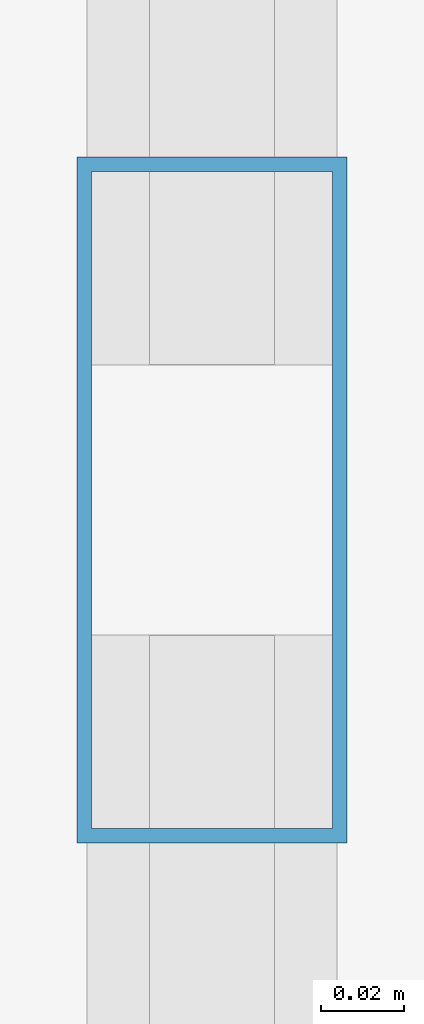
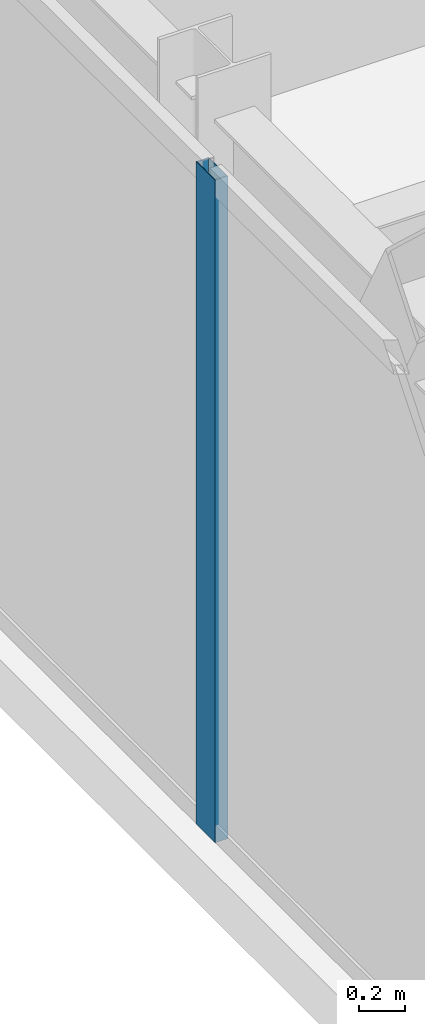
# One storey, part 10 of 31: 1 member, 1 element without a shape of its own.
"""IFC4 building model written with IfcOpenShell, lengths in metres."""

import ifcopenshell
import ifcopenshell.guid

model = None  # the IFC model being written
_history = None  # IfcOwnerHistory: only IFC2X3 demands one
_inside = {}  # id of a spatial element -> (the spatial element, [elements in it])
_under = {}  # id of a project, library or spatial element -> (it, [spatial elements below it])
_declared = {}  # id of a project -> (the project, [libraries it declares])
_typed = {}  # id of a type object -> (the type object, [elements of that type])
_made_of = {}  # id of a material, layer set ... -> (it, [elements and type objects made of it])


def new_model(schema):
    """Start an empty IFC model of exactly this schema.

    Asked for "IFC4X3", IfcOpenShell would pick the latest addendum, in which some entities
    have other attributes; the version numbers below select the first issue.
    IFC2X3 requires an IfcOwnerHistory on every rooted entity: one is made here for all.
    """
    global model, _history
    if schema == "IFC4X3":
        model = ifcopenshell.file(schema_version=(4, 3, 0, 0))
    else:
        model = ifcopenshell.file(schema=schema)
    _inside.clear()
    _under.clear()
    _declared.clear()
    _typed.clear()
    _made_of.clear()
    _history = None
    if model.schema == "IFC2X3":
        org = make("IfcOrganization", Name="unknown")
        user = make(
            "IfcPersonAndOrganization",
            ThePerson=make("IfcPerson", FamilyName="unknown"),
            TheOrganization=org,
        )
        app = make(
            "IfcApplication",
            ApplicationDeveloper=org,
            Version="unknown",
            ApplicationFullName="unknown",
            ApplicationIdentifier="unknown",
        )
        _history = make(
            "IfcOwnerHistory",
            OwningUser=user,
            OwningApplication=app,
            ChangeAction="ADDED",
            CreationDate=0,
        )
    return model


def make(cls, **values):
    """One entity of the class cls with the attributes given. An attribute that is None is left unset."""
    return model.create_entity(
        cls, **{name: value for name, value in values.items() if value is not None}
    )


def rooted(cls, **values):
    """An entity with a GlobalId (a new one), such as an element, a storey or a relation."""
    return make(cls, GlobalId=ifcopenshell.guid.new(), OwnerHistory=_history, **values)


def si_unit(unit_type, name, prefix=None):
    """IfcSIUnit, for example si_unit("LENGTHUNIT", "METRE", prefix="MILLI")."""
    return make("IfcSIUnit", UnitType=unit_type, Prefix=prefix, Name=name)


def assignment(units):
    """IfcUnitAssignment: the units of a project."""
    return None if units is None else make("IfcUnitAssignment", Units=units)


def point(xyz):
    """IfcCartesianPoint."""
    return None if xyz is None else make("IfcCartesianPoint", Coordinates=xyz)


def direction(xyz):
    """IfcDirection."""
    return None if xyz is None else make("IfcDirection", DirectionRatios=xyz)


def frame(location, z_axis=None, x_axis=None):
    """IfcAxis2Placement3D, a coordinate frame: its origin and axes. An axis left out is left unset."""
    return make(
        "IfcAxis2Placement3D",
        Location=point(location),
        Axis=direction(z_axis),
        RefDirection=direction(x_axis),
    )


def frame_2d(location, x_axis=None):
    """IfcAxis2Placement2D, a coordinate frame in the plane: its origin and x axis."""
    return make(
        "IfcAxis2Placement2D", Location=point(location), RefDirection=direction(x_axis)
    )


def origin():
    """The frame at (0, 0, 0) with its axes left unset."""
    return frame((0.0, 0.0, 0.0))


def origin_2d():
    """The frame at (0, 0) in the plane with its x axis left unset."""
    return frame_2d((0.0, 0.0))


def place(relative_to, where):
    """IfcLocalPlacement: puts the frame where relative to a parent placement (None: the world)."""
    return make(
        "IfcLocalPlacement", PlacementRelTo=relative_to, RelativePlacement=where
    )


def context(
    kind, dimensions, precision=None, world=None, true_north=None, identifier=None
):
    """IfcGeometricRepresentationContext, for example the 3D "Model" context."""
    return make(
        "IfcGeometricRepresentationContext",
        ContextIdentifier=identifier,
        ContextType=kind,
        CoordinateSpaceDimension=dimensions,
        Precision=precision,
        WorldCoordinateSystem=world,
        TrueNorth=true_north,
    )


def subcontext(parent, identifier, kind, view, scale=None):
    """IfcGeometricRepresentationSubContext, for example "Body" below "Model"."""
    return make(
        "IfcGeometricRepresentationSubContext",
        ContextIdentifier=identifier,
        ContextType=kind,
        ParentContext=parent,
        TargetScale=scale,
        TargetView=view,
    )


def project(units=None, contexts=None):
    """IfcProject with its units and contexts."""
    return rooted(
        "IfcProject",
        Name="project",
        RepresentationContexts=contexts,
        UnitsInContext=assignment(units),
    )


def spatial(cls, under=None, at=None, **own):
    """A site, building, storey or space (cls), placed at a placement, below another one or the project."""
    s = rooted(cls, ObjectPlacement=at, **own)
    if under is not None:
        _under.setdefault(under.id(), (under, []))[1].append(s)
    return s


def profile(cls, at=None, kind="AREA", **sizes):
    """A parametric profile (cls). Its sizes go by their IFC names, for example OverallWidth=200.0."""
    return make(cls, ProfileType=kind, Position=at, **sizes)


def hollow_rectangle(**sizes):
    """IfcRectangleHollowProfileDef."""
    return profile("IfcRectangleHollowProfileDef", **sizes)


def extrude(swept, where, along, depth):
    """IfcExtrudedAreaSolid: the profile swept, set in the frame where, extruded along a direction by depth."""
    return make(
        "IfcExtrudedAreaSolid",
        SweptArea=swept,
        Position=where,
        ExtrudedDirection=direction(along),
        Depth=depth,
    )


def shape(context_of_items, identifier, shape_type, items):
    """IfcShapeRepresentation: the items that make up one representation, for example the "Body"."""
    return make(
        "IfcShapeRepresentation",
        ContextOfItems=context_of_items,
        RepresentationIdentifier=identifier,
        RepresentationType=shape_type,
        Items=items,
    )


def source(mapping_origin, context_of_items, identifier, shape_type, items):
    """IfcRepresentationMap: a shape defined once, which mapped items show again and again."""
    return make(
        "IfcRepresentationMap",
        MappingOrigin=mapping_origin,
        MappedRepresentation=shape(context_of_items, identifier, shape_type, items),
    )


def transform(
    local_origin,
    x_axis=None,
    y_axis=None,
    z_axis=None,
    scale=None,
    scale2=None,
    scale3=None,
    uniform=True,
):
    """IfcCartesianTransformationOperator3D, or its non-uniform kind. x_axis, y_axis, z_axis: its Axis1, 2, 3."""
    if uniform:
        return make(
            "IfcCartesianTransformationOperator3D",
            Axis1=direction(x_axis),
            Axis2=direction(y_axis),
            LocalOrigin=point(local_origin),
            Scale=scale,
            Axis3=direction(z_axis),
        )
    return make(
        "IfcCartesianTransformationOperator3DnonUniform",
        Axis1=direction(x_axis),
        Axis2=direction(y_axis),
        LocalOrigin=point(local_origin),
        Scale=scale,
        Axis3=direction(z_axis),
        Scale2=scale2,
        Scale3=scale3,
    )


def mapped(mapping_source, mapping_target):
    """IfcMappedItem: shows the shape of a source again, moved by a transform."""
    return make(
        "IfcMappedItem", MappingSource=mapping_source, MappingTarget=mapping_target
    )


def material(Name=None, Category=None):
    """IfcMaterial."""
    return make("IfcMaterial", Name=Name, Category=Category)


def layer(
    of_material, thickness, ventilated=None, Name=None, Category=None, Priority=None
):
    """IfcMaterialLayer: one layer of a wall or slab, of a material (None: an air gap)."""
    return make(
        "IfcMaterialLayer",
        Material=of_material,
        LayerThickness=thickness,
        IsVentilated=ventilated,
        Name=Name,
        Category=Category,
        Priority=Priority,
    )


def layer_set(layers, Name=None):
    """IfcMaterialLayerSet."""
    return make("IfcMaterialLayerSet", MaterialLayers=layers, LayerSetName=Name)


def material_profile(
    of_material, cross_section, Name=None, Category=None, Priority=None
):
    """IfcMaterialProfile: a cross section and its material."""
    return make(
        "IfcMaterialProfile",
        Name=Name,
        Material=of_material,
        Profile=cross_section,
        Priority=Priority,
        Category=Category,
    )


def profile_set(profiles, Name=None, composite=None):
    """IfcMaterialProfileSet."""
    return make(
        "IfcMaterialProfileSet",
        Name=Name,
        MaterialProfiles=profiles,
        CompositeProfile=composite,
    )


def made_of(thing, what):
    """Note that an element or type object is made of a material, layer set ...; save() writes the relation."""
    if what is not None:
        _made_of.setdefault(what.id(), (what, []))[1].append(thing)
    return thing


def type_object(cls, material=None, **own):
    """A type object (cls), such as IfcWallType, which elements share."""
    return made_of(rooted(cls, **own), material)


def type_shapes(of_type, sources):
    """Give a type object the sources (RepresentationMaps) that its elements show as mapped items."""
    of_type.RepresentationMaps = sources


def element(
    cls,
    number,
    at=None,
    inside=None,
    cuts=None,
    type_object=None,
    material=None,
    context=None,
    identifier="Body",
    shape_type=None,
    held_by="IfcProductDefinitionShape",
    body=None,
    shapes=None,
    **own,
):
    """One element of the class cls, such as IfcWall. Its Tag is "e" and its number.

    at: its placement. inside: the storey or other place that contains it. cuts: it is an
    opening in that element (IfcRelVoidsElement). A single representation is given by context,
    identifier, shape_type and body (its items); several are given by shapes. held_by: the class
    of the entity that holds the representations. save() writes the other relations.
    """
    e = rooted(cls, Tag="e%d" % number, ObjectPlacement=at, **own)
    if body is not None:
        shapes = [shape(context, identifier, shape_type, body)]
    if shapes is not None:
        e.Representation = make(held_by, Representations=shapes)
    if inside is not None:
        _inside.setdefault(inside.id(), (inside, []))[1].append(e)
    if cuts is not None:
        rooted(
            "IfcRelVoidsElement", RelatingBuildingElement=cuts, RelatedOpeningElement=e
        )
    if type_object is not None:
        _typed.setdefault(type_object.id(), (type_object, []))[1].append(e)
    return made_of(e, material)


def aggregate(whole, parts):
    """IfcRelAggregates: a whole, such as a stair, and the parts it consists of."""
    return rooted("IfcRelAggregates", RelatingObject=whole, RelatedObjects=parts)


def save(model, path):
    """Write the relations noted so far, then the file.

    IfcRelAggregates (storeys below a building ...), IfcRelContainedInSpatialStructure (elements
    in a storey), IfcRelDefinesByType, IfcRelAssociatesMaterial and IfcRelDeclares: one each for
    every whole, place, type object, material and project.
    """
    for whole, parts in _under.values():
        aggregate(whole, parts)
    for where, things in _inside.values():
        rooted(
            "IfcRelContainedInSpatialStructure",
            RelatedElements=things,
            RelatingStructure=where,
        )
    for kind, things in _typed.values():
        rooted("IfcRelDefinesByType", RelatedObjects=things, RelatingType=kind)
    for what, things in _made_of.values():
        rooted("IfcRelAssociatesMaterial", RelatedObjects=things, RelatingMaterial=what)
    for by, libraries in _declared.values():
        rooted("IfcRelDeclares", RelatingContext=by, RelatedDefinitions=libraries)
    model.write(path)


model = new_model("IFC4")

# Units and contexts
model_context = context("Model", 3, precision=1e-05, world=origin(), true_north=direction((0.0, 1.0)))
body_context = subcontext(model_context, "Body", "Model", "MODEL_VIEW")
ifc_project = project(units=[si_unit("LENGTHUNIT", "METRE"), si_unit("AREAUNIT", "SQUARE_METRE"), si_unit("VOLUMEUNIT", "CUBIC_METRE"), si_unit("PLANEANGLEUNIT", "RADIAN"), si_unit("MASSUNIT", "GRAM", prefix="KILO")], contexts=[model_context])

# Site, building, storey
site_placement = place(None, origin())
site = spatial("IfcSite", under=ifc_project, at=site_placement, CompositionType="ELEMENT")
building_placement = place(site_placement, origin())
building = spatial("IfcBuilding", under=site, at=building_placement, Name="Varnel Quay Broadcast Tower", CompositionType="ELEMENT")
storey_placement = place(building_placement, frame((0.0, 0.0, 239.39990234375)))
storey = spatial("IfcBuildingStorey", under=building, at=storey_placement, Name="L59", CompositionType="ELEMENT", Elevation=239.39990234375)

# Curtain wall, member
ifc_material = material(Name="Anodised Bronze Aluminium 6063-T6", Category="aluminium")
ifc_layer = layer(ifc_material, 0.18994140625, Name="Anodised Bronze Aluminium 6063-T6")
ifc_layer_set = layer_set([ifc_layer], Name="Anodised Bronze Aluminium 6063-T6")
curtain_wall_type = type_object("IfcCurtainWallType", Name="CW_UpperTower", PredefinedType="NOTDEFINED", material=ifc_layer_set)
curtain_wall_placement = place(storey_placement, origin())
curtain_wall = element("IfcCurtainWall", 1, at=curtain_wall_placement, inside=storey, type_object=curtain_wall_type, Name="L59 West Unitised Curtain Wall", PredefinedType="NOTDEFINED")
ifc_material_profile = material_profile(ifc_material, hollow_rectangle(XDim=0.06494140625, YDim=0.1650390625, WallThickness=0.00341796875, at=origin_2d()), Name="ALU65X165X3.5")
ifc_profile_set = profile_set([ifc_material_profile], Name="Anodised Bronze Aluminium 6063-T6")
member_type = type_object("IfcMemberType", Name="Mull_CWS-03", PredefinedType="MULLION", material=ifc_profile_set)
shared_shape = source(origin(), body_context, "Body", "SweptSolid", [
    extrude(hollow_rectangle(XDim=0.06494140625, YDim=0.1650390625, WallThickness=0.00341796875, at=origin_2d()), origin(), (0.0, 0.0, 1.0), 3.550048828125),
])
type_shapes(member_type, [shared_shape])
member_placement = place(storey_placement, frame((9.64990234375, 28.5, 0.0), z_axis=(0.0, 0.0, 1.0), x_axis=(-1.0, 0.0, 0.0)))
member = element("IfcMember", 2, at=member_placement, type_object=member_type, Name="CWS-03 mullion 2", PredefinedType="MULLION", context=body_context, shape_type="MappedRepresentation", body=[
    mapped(shared_shape, transform((0.0, 0.0, 0.0), x_axis=(1.0, 0.0, 0.0), y_axis=(0.0, 1.0, 0.0), z_axis=(0.0, 0.0, 1.0), scale=1.0)),
])
aggregate(curtain_wall, [member])

save(model, "model.ifc")
